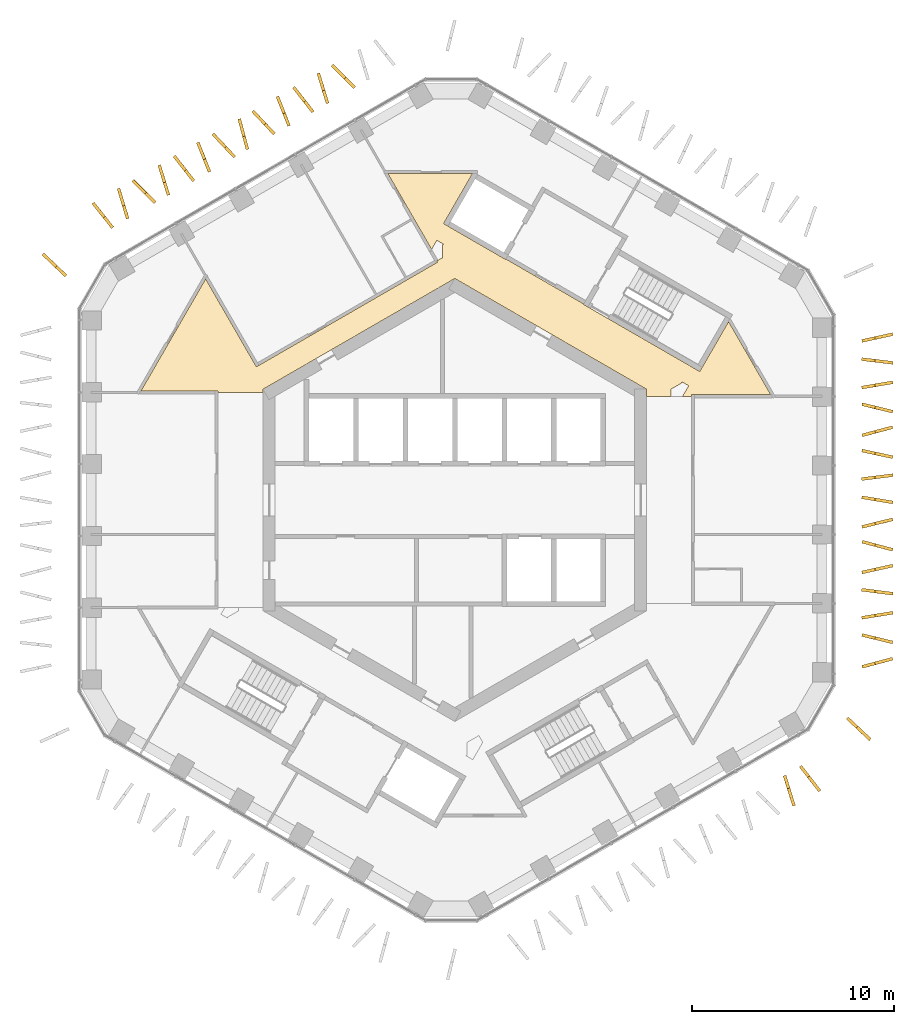
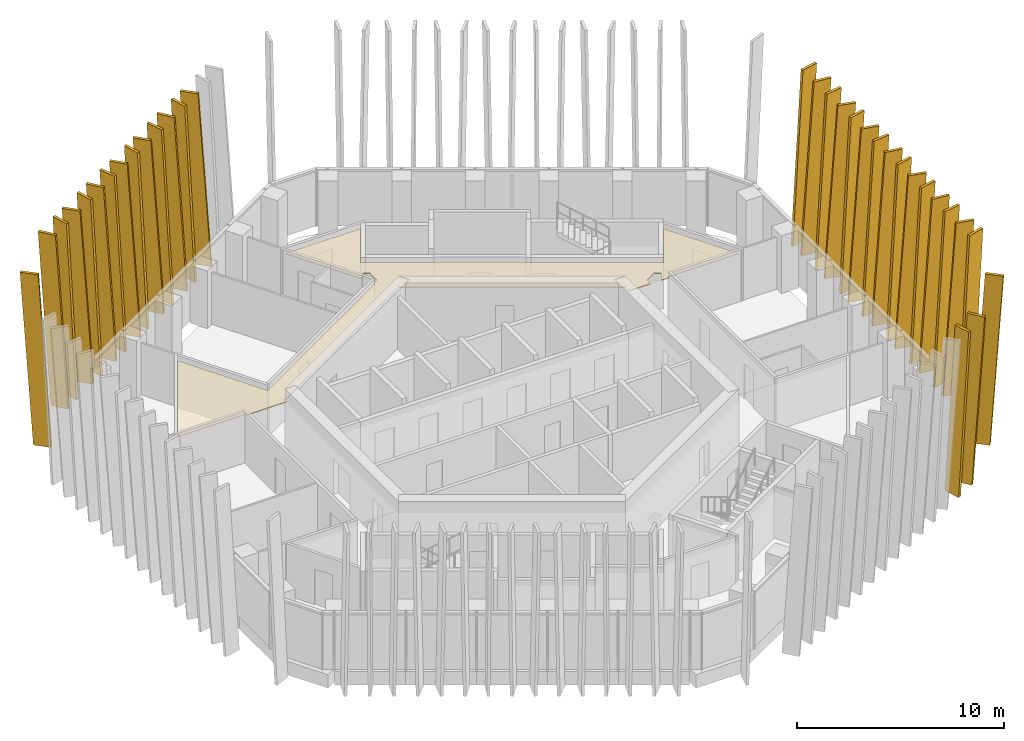
# One storey, part 19 of 20: 32 shading devices, 1 covering.
"""IFC4 building model written with IfcOpenShell, lengths in metres."""

from ifc_helpers import new_model, si_unit, direction, frame, origin, place, context, subcontext, project, spatial, polyline, outline, extrude, material, layer, layer_set, type_object, element, save


model = new_model("IFC4")

# Units and contexts
model_context = context("Model", 3, precision=1e-05, world=origin(), true_north=direction((0.0, 1.0)))
body_context = subcontext(model_context, "Body", "Model", "MODEL_VIEW")
ifc_project = project(units=[si_unit("LENGTHUNIT", "METRE"), si_unit("AREAUNIT", "SQUARE_METRE"), si_unit("VOLUMEUNIT", "CUBIC_METRE"), si_unit("PLANEANGLEUNIT", "RADIAN"), si_unit("MASSUNIT", "GRAM", prefix="KILO")], contexts=[model_context])

# Site, building, storey
site_placement = place(None, origin())
site = spatial("IfcSite", under=ifc_project, at=site_placement, CompositionType="ELEMENT")
building_placement = place(site_placement, origin())
building = spatial("IfcBuilding", under=site, at=building_placement, Name="Ayvan Gate Tower", CompositionType="ELEMENT")
storey_placement = place(building_placement, frame((0.0, 0.0, 162.89990234375)))
storey = spatial("IfcBuildingStorey", under=building, at=storey_placement, Name="L43", CompositionType="ELEMENT", Elevation=162.89990234375)

# Shading devices
ifc_material_1 = material(Name="Bronze anodised aluminium", Category="aluminium")
ifc_layer_1 = layer(ifc_material_1, 0.14990234375)
ifc_layer_set_1 = layer_set([ifc_layer_1], Name="Bronze anodised aluminium")
shading_device_type = type_object("IfcShadingDeviceType", Name="Bronze fin 900 x 150", PredefinedType="USERDEFINED", material=ifc_layer_set_1)
shading_device_1_placement = place(storey_placement, frame((-4.90869140625, 20.478759765625, 0.0), z_axis=(0.70710677455, 0.70710677455, 0.000137009644), x_axis=(-0.707106781187, 0.707106781187, 0.0)))
element("IfcShadingDevice", 1, at=shading_device_1_placement, inside=storey, type_object=shading_device_type, Name="Bronze fin FG16.1.3", ObjectType="FIN", PredefinedType="USERDEFINED", context=body_context, shape_type="SweptSolid", body=[
    extrude(outline(polyline([(0.0, 0.0), (0.900111024684243, 0.0), (1.564059432995635, 10.080078219609815), (0.6642936752943933, 10.080078219609815), (0.0, 0.0)])), origin(), (0.0, 0.0, -1.0), 0.14990234375),
])
shading_device_2_placement = place(storey_placement, frame((-6.229736328125, 19.666259765625, 0.0), z_axis=(0.956030876402, 0.293265998125, 0.000133076551), x_axis=(-0.293266000721, 0.956030884868, 0.0)))
element("IfcShadingDevice", 2, at=shading_device_2_placement, inside=storey, type_object=shading_device_type, Name="Bronze fin FG16.1.4", ObjectType="FIN", PredefinedType="USERDEFINED", context=body_context, shape_type="SweptSolid", body=[
    extrude(outline(polyline([(0.0, 0.0), (0.8999202600228349, 0.0), (1.5640357063974393, 10.080078214255911), (0.6641154463746045, 10.080078214255911), (0.0, 0.0)])), origin(), (0.0, 0.0, -1.0), 0.14990234375),
])
shading_device_3_placement = place(storey_placement, frame((-6.96240234375, 19.260009765625, 0.0), z_axis=(0.787676700214, 0.616088784634, 0.000159336057), x_axis=(-0.616088792457, 0.787676710211, 1.3317e-08)))
element("IfcShadingDevice", 3, at=shading_device_3_placement, inside=storey, type_object=shading_device_type, Name="Bronze fin FG16.1.5", ObjectType="FIN", PredefinedType="USERDEFINED", context=body_context, shape_type="SweptSolid", body=[
    extrude(outline(polyline([(0.0, 0.0), (0.8998445159698425, 0.0), (1.5640257398677295, 10.080078232128587), (0.6639889200135578, 10.080078256097252), (0.0, 0.0)])), origin(), (0.0, 0.0, -1.0), 0.14990234375),
])
shading_device_4_placement = place(storey_placement, frame((-8.1396484375, 18.556396484375, 0.0), z_axis=(0.929808538218, 0.368043560576, 0.000140627207), x_axis=(-0.368043564217, 0.929808547411, 1.7737e-08)))
element("IfcShadingDevice", 4, at=shading_device_4_placement, inside=storey, type_object=shading_device_type, Name="Bronze fin FG16.1.6", ObjectType="FIN", PredefinedType="USERDEFINED", context=body_context, shape_type="SweptSolid", body=[
    extrude(outline(polyline([(0.0, 0.0), (0.8998752462450608, 6.776263578034403e-21), (1.5639081459649489, 10.080078196932167), (0.6641227541056832, 10.080078228853518), (0.0, 0.0)])), origin(), (0.0, 0.0, -1.0), 0.14990234375),
])
shading_device_5_placement = place(storey_placement, frame((-8.88037109375, 18.17578125, 0.0), z_axis=(0.729194546327, 0.684306431238, 0.00014755965), x_axis=(-0.684306438689, 0.729194554264, 1.3695e-08)))
element("IfcShadingDevice", 5, at=shading_device_5_placement, inside=storey, type_object=shading_device_type, Name="Bronze fin FG16.1.7", ObjectType="FIN", PredefinedType="USERDEFINED", context=body_context, shape_type="SweptSolid", body=[
    extrude(outline(polyline([(0.0, 0.0), (0.9000439713561788, -1.3552527156068805e-20), (1.5642826426158303, 10.080078213318082), (0.664060645245427, 10.080078237972868), (0.0, 0.0)])), origin(), (0.0, 0.0, -1.0), 0.14990234375),
])
shading_device_6_placement = place(storey_placement, frame((-10.1962890625, 17.38134765625, 0.0), z_axis=(0.965918973003, 0.25884457872, 0.000147176107), x_axis=(-0.258844581524, 0.965918983464, 0.0)))
element("IfcShadingDevice", 6, at=shading_device_6_placement, inside=storey, type_object=shading_device_type, Name="Bronze fin FG16.1.8", ObjectType="FIN", PredefinedType="USERDEFINED", context=body_context, shape_type="SweptSolid", body=[
    extrude(outline(polyline([(0.0, 0.0), (0.8998069609142786, 6.776263578034403e-21), (1.5639385291412986, 10.080078234171312), (0.6641315682270201, 10.080078234171312), (0.0, 0.0)])), origin(), (0.0, 0.0, -1.0), 0.14990234375),
])
shading_device_7_placement = place(storey_placement, frame((-10.850341796875, 17.03857421875, 0.0), z_axis=(0.729131032152, 0.684374104955, 0.000149732423), x_axis=(-0.684374112627, 0.729131040325, 0.0)))
element("IfcShadingDevice", 7, at=shading_device_7_placement, inside=storey, type_object=shading_device_type, Name="Bronze fin FG16.1.9", ObjectType="FIN", PredefinedType="USERDEFINED", context=body_context, shape_type="SweptSolid", body=[
    extrude(outline(polyline([(0.0, 0.0), (0.9000439752325704, -1.3552527156068805e-20), (1.5641046253707434, 10.080078237996664), (0.664060650138173, 10.080078237996664), (0.0, 0.0)])), origin(), (0.0, 0.0, -1.0), 0.14990234375),
])
shading_device_8_placement = place(storey_placement, frame((-12.079345703125, 16.28173828125, 0.0), z_axis=(0.929845275173, 0.367950733889, 0.000147204149), x_axis=(-0.367950737873, 0.929845285248, -1.8565e-08)))
element("IfcShadingDevice", 8, at=shading_device_8_placement, inside=storey, type_object=shading_device_type, Name="Bronze fin FG16.1.10", ObjectType="FIN", PredefinedType="USERDEFINED", context=body_context, shape_type="SweptSolid", body=[
    extrude(outline(polyline([(0.0, 0.0), (0.9000124117156665, 6.776263578034403e-21), (1.5641346437356456, 10.080078263250902), (0.6640324002968654, 10.080078229831978), (0.0, 0.0)])), origin(), (0.0, 0.0, -1.0), 0.14990234375),
])
shading_device_9_placement = place(storey_placement, frame((-12.87109375, 15.848388671875, 0.0), z_axis=(0.787610876416, 0.616172931214, 0.000161835771), x_axis=(-0.616172939283, 0.78761088673, 3.762e-09)))
element("IfcShadingDevice", 9, at=shading_device_9_placement, inside=storey, type_object=shading_device_type, Name="Bronze fin FG16.1.11", ObjectType="FIN", PredefinedType="USERDEFINED", context=body_context, shape_type="SweptSolid", body=[
    extrude(outline(polyline([(0.0, 0.0), (0.9001872395298831, 1.3552527156068805e-20), (1.5641762390667049, 10.08007825111777), (0.6643317201974694, 10.080078257890111), (0.0, 0.0)])), origin(), (0.0, 0.0, -1.0), 0.14990234375),
])
shading_device_10_placement = place(storey_placement, frame((-14.10791015625, 15.11767578125, 0.0), z_axis=(0.956030876402, 0.293265998125, 0.000133076551), x_axis=(-0.293266000721, 0.956030884868, 0.0)))
element("IfcShadingDevice", 10, at=shading_device_10_placement, inside=storey, type_object=shading_device_type, Name="Bronze fin FG16.1.12", ObjectType="FIN", PredefinedType="USERDEFINED", context=body_context, shape_type="SweptSolid", body=[
    extrude(outline(polyline([(0.0, 0.0), (0.8999202600228349, 0.0), (1.5640357063974393, 10.080078214255911), (0.6641154463746045, 10.080078214255911), (0.0, 0.0)])), origin(), (0.0, 0.0, -1.0), 0.14990234375),
])
shading_device_11_placement = place(storey_placement, frame((-14.7880859375, 14.77490234375, 0.0), z_axis=(0.707174597764, 0.707038941789, 0.000151893425), x_axis=(-0.707038949944, 0.707174605923, -1.4567e-08)))
element("IfcShadingDevice", 11, at=shading_device_11_placement, inside=storey, type_object=shading_device_type, Name="Bronze fin FG16.1.13", ObjectType="FIN", PredefinedType="USERDEFINED", context=body_context, shape_type="SweptSolid", body=[
    extrude(outline(polyline([(0.0, 0.0), (0.8999384036120208, 1.3552527156068805e-20), (1.5640591464837272, 10.080078264065977), (0.6642933929219804, 10.080078237849115), (0.0, 0.0)])), origin(), (0.0, 0.0, -1.0), 0.14990234375),
])
shading_device_12_placement = place(storey_placement, frame((-16.128662109375, 13.95166015625, 0.0), z_axis=(0.957478388745, 0.288504962864, 0.000146592241), x_axis=(-0.288504965966, 0.957478399032, 1.3299e-08)))
element("IfcShadingDevice", 12, at=shading_device_12_placement, inside=storey, type_object=shading_device_type, Name="Bronze fin FG16.1.14", ObjectType="FIN", PredefinedType="USERDEFINED", context=body_context, shape_type="SweptSolid", body=[
    extrude(outline(polyline([(0.0, 0.0), (0.9001142657155573, 0.0), (1.5640005612478827, 10.08007821250656), (0.6641904906897956, 10.080078236444486), (0.0, 0.0)])), origin(), (0.0, 0.0, -1.0), 0.14990234375),
])
shading_device_13_placement = place(storey_placement, frame((-16.886474609375, 13.53125, 0.0), z_axis=(0.784507654603, 0.62011912117, 0.000124215189), x_axis=(-0.620119125954, 0.784507660655, 0.0)))
element("IfcShadingDevice", 13, at=shading_device_13_placement, inside=storey, type_object=shading_device_type, Name="Bronze fin FG16.1.15", ObjectType="FIN", PredefinedType="USERDEFINED", context=body_context, shape_type="SweptSolid", body=[
    extrude(outline(polyline([(0.0, 0.0), (0.8999971866563694, 6.776263578034403e-21), (1.5641591170380988, 10.080078202764845), (0.6641619303817293, 10.080078202764845), (0.0, 0.0)])), origin(), (0.0, 0.0, -1.0), 0.14990234375),
])
shading_device_14_placement = place(storey_placement, frame((-19.21044921875, 11.15771484375, 0.0), z_axis=(0.690156285835, 0.723660335089, 0.000143321696), x_axis=(-0.723660342523, 0.690156292922, 1.3416e-08)))
element("IfcShadingDevice", 14, at=shading_device_14_placement, inside=storey, type_object=shading_device_type, Name="Bronze fin FG16.2.16", ObjectType="FIN", PredefinedType="USERDEFINED", context=body_context, shape_type="SweptSolid", body=[
    extrude(outline(polyline([(0.0, 0.0), (0.900020362071362, 0.0), (1.5640148654917776, 10.080078207545455), (0.6641711783087267, 10.0800782316921), (0.0, 0.0)])), origin(), (0.0, 0.0, -1.0), 0.14990234375),
])
shading_device_15_placement = place(storey_placement, frame((16.260986328125, -13.668701171875, 0.0), z_axis=(-0.955373402441, -0.295400805014, 0.000162191566), x_axis=(0.295400808899, -0.955373415007, 0.0)))
element("IfcShadingDevice", 15, at=shading_device_15_placement, inside=storey, type_object=shading_device_type, Name="Bronze fin FG16.7.62", ObjectType="FIN", PredefinedType="USERDEFINED", context=body_context, shape_type="SweptSolid", body=[
    extrude(outline(polyline([(0.0, 0.0), (0.9000284786486996, 0.0), (1.5641836090151382, 10.080078257583795), (0.6641551303664387, 10.080078257583795), (0.0, 0.0)])), origin(), (0.0, 0.0, -1.0), 0.14990234375),
])
shading_device_16_placement = place(storey_placement, frame((17.0576171875, -13.224609375, 0.0), z_axis=(-0.79122533438, -0.611524688502, 0.000159960267), x_axis=(0.611524696323, -0.791225344505, -1.7167e-08)))
element("IfcShadingDevice", 16, at=shading_device_16_placement, inside=storey, type_object=shading_device_type, Name="Bronze fin FG16.7.63", ObjectType="FIN", PredefinedType="USERDEFINED", context=body_context, shape_type="SweptSolid", body=[
    extrude(outline(polyline([(0.0, 0.0), (0.8999953602131687, 0.0), (1.5641032824272418, 10.08007828081113), (0.66395862419251, 10.080078249909002), (0.0, 0.0)])), origin(), (0.0, 0.0, -1.0), 0.14990234375),
])
shading_device_17_placement = place(storey_placement, frame((19.385498046875, -10.85302734375, 0.0), z_axis=(-0.68598209109, -0.727618410181, 0.000140961004), x_axis=(0.727618417411, -0.685982097903, 1.3113e-08)))
element("IfcShadingDevice", 17, at=shading_device_17_placement, inside=storey, type_object=shading_device_type, Name="Bronze fin FG16.8.64", ObjectType="FIN", PredefinedType="USERDEFINED", context=body_context, shape_type="SweptSolid", body=[
    extrude(outline(polyline([(0.0, 0.0), (0.9001584324980659, 2.710505431213761e-20), (1.5642615890979632, 10.0800782046334), (0.6642807978150856, 10.08007822823867), (0.0, 0.0)])), origin(), (0.0, 0.0, -1.0), 0.14990234375),
])
shading_device_18_placement = place(storey_placement, frame((20.189208984375, -8.334716796875, 0.0), z_axis=(0.257569784878, -0.966259687978, 0.000145966011), x_axis=(0.966259698273, 0.257569787619, -1.9131e-08)))
element("IfcShadingDevice", 18, at=shading_device_18_placement, inside=storey, type_object=shading_device_type, Name="Bronze fin FG16.9.65", ObjectType="FIN", PredefinedType="USERDEFINED", context=body_context, shape_type="SweptSolid", body=[
    extrude(outline(polyline([(0.0, 0.0), (0.8999635677972457, 0.0), (1.5641396608980065, 10.08007826230654), (0.6641132098518301, 10.08007822787148), (0.0, 0.0)])), origin(), (0.0, 0.0, -1.0), 0.14990234375),
])
shading_device_19_placement = place(storey_placement, frame((20.147705078125, -6.75634765625, 0.0), z_axis=(-0.236946810461, -0.971522612096, 0.000152311869), x_axis=(0.971522623366, -0.236946813206, 2.4962e-08)))
element("IfcShadingDevice", 19, at=shading_device_19_placement, inside=storey, type_object=shading_device_type, Name="Bronze fin FG16.9.66", ObjectType="FIN", PredefinedType="USERDEFINED", context=body_context, shape_type="SweptSolid", body=[
    extrude(outline(polyline([(0.0, 0.0), (0.9001095226623655, 6.776263578034403e-21), (1.5642003089074925, 10.080078202877402), (0.6642701260425293, 10.080078247810484), (0.0, 0.0)])), origin(), (0.0, 0.0, -1.0), 0.14990234375),
])
shading_device_20_placement = place(storey_placement, frame((20.16455078125, -5.907958984375, 0.0), z_axis=(0.158699343908, -0.987326943853, 0.000155512805), x_axis=(0.987326955792, 0.158699345827, -3.347e-09)))
element("IfcShadingDevice", 20, at=shading_device_20_placement, inside=storey, type_object=shading_device_type, Name="Bronze fin FG16.9.67", ObjectType="FIN", PredefinedType="USERDEFINED", context=body_context, shape_type="SweptSolid", body=[
    extrude(outline(polyline([(0.0, 0.0), (0.9000754971661992, 0.0), (1.5640148830603642, 10.080078252124439), (0.6641804325142314, 10.080078246099909), (0.0, 0.0)])), origin(), (0.0, 0.0, -1.0), 0.14990234375),
])
shading_device_21_placement = place(storey_placement, frame((20.139404296875, -4.517578125, 0.0), z_axis=(-0.128440400274, -0.99171721943, 0.000142349716), x_axis=(0.991717229478, -0.128440401578, -1.9146e-08)))
element("IfcShadingDevice", 21, at=shading_device_21_placement, inside=storey, type_object=shading_device_type, Name="Bronze fin FG16.9.68", ObjectType="FIN", PredefinedType="USERDEFINED", context=body_context, shape_type="SweptSolid", body=[
    extrude(outline(polyline([(0.0, 0.0), (0.9000485696576234, 3.3881317890172014e-21), (1.5640396224780098, 10.08007825707437), (0.6640224103403027, 10.080078222609474), (0.0, 0.0)])), origin(), (0.0, 0.0, -1.0), 0.14990234375),
])
shading_device_22_placement = place(storey_placement, frame((20.177978515625, -3.662353515625, 0.0), z_axis=(0.216600145238, -0.976260391622, 0.000157582778), x_axis=(0.976260403743, 0.21660014793, 2.0865e-08)))
element("IfcShadingDevice", 22, at=shading_device_22_placement, inside=storey, type_object=shading_device_type, Name="Bronze fin FG16.9.69", ObjectType="FIN", PredefinedType="USERDEFINED", context=body_context, shape_type="SweptSolid", body=[
    extrude(outline(polyline([(0.0, 0.0), (0.9000548611493163, 0.0), (1.5640863701876477, 10.08007821752148), (0.6640843899338222, 10.080078255079417), (0.0, 0.0)])), origin(), (0.0, 0.0, -1.0), 0.14990234375),
])
shading_device_23_placement = place(storey_placement, frame((20.150634765625, -2.1357421875, 0.0), z_axis=(-0.257856819932, -0.966183129077, 0.000146631993), x_axis=(0.966183139464, -0.257856822706, -1.4086e-08)))
element("IfcShadingDevice", 23, at=shading_device_23_placement, inside=storey, type_object=shading_device_type, Name="Bronze fin FG16.9.70", ObjectType="FIN", PredefinedType="USERDEFINED", context=body_context, shape_type="SweptSolid", body=[
    extrude(outline(polyline([(0.0, 0.0), (0.9000893996980394, -1.3552527156068805e-20), (1.5639823156769392, 10.080078255395785), (0.664191753860289, 10.080078230042744), (0.0, 0.0)])), origin(), (0.0, 0.0, -1.0), 0.14990234375),
])
shading_device_24_placement = place(storey_placement, frame((20.18359375, -1.405029296875, 0.0), z_axis=(0.237649343609, -0.971350998622, 0.000164190813), x_axis=(0.971351011715, 0.237649346812, -5.292e-09)))
element("IfcShadingDevice", 24, at=shading_device_24_placement, inside=storey, type_object=shading_device_type, Name="Bronze fin FG16.9.71", ObjectType="FIN", PredefinedType="USERDEFINED", context=body_context, shape_type="SweptSolid", body=[
    extrude(outline(polyline([(0.0, 0.0), (0.9000460939352701, -6.776263578034403e-21), (1.5639990909797856, 10.080078269149409), (0.66419014328761, 10.080078259624335), (0.0, 0.0)])), origin(), (0.0, 0.0, -1.0), 0.14990234375),
])
shading_device_25_placement = place(storey_placement, frame((20.140869140625, 0.059814453125, 0.0), z_axis=(-0.163431185505, -0.986554724784, 0.000150370235), x_axis=(0.986554735938, -0.16343118735, 2.0121e-08)))
element("IfcShadingDevice", 25, at=shading_device_25_placement, inside=storey, type_object=shading_device_type, Name="Bronze fin FG16.9.72", ObjectType="FIN", PredefinedType="USERDEFINED", context=body_context, shape_type="SweptSolid", body=[
    extrude(outline(polyline([(0.0, 0.0), (0.9000207884254398, 0.0), (1.5642411468186022, 10.080078207487928), (0.6641804582009383, 10.08007824370662), (0.0, 0.0)])), origin(), (0.0, 0.0, -1.0), 0.14990234375),
])
shading_device_26_placement = place(storey_placement, frame((20.157470703125, 0.962890625, 0.0), z_axis=(0.121931150167, -0.992538550521, 0.000142646447), x_axis=(0.992538560619, 0.12193115141, 1.9202e-08)))
element("IfcShadingDevice", 26, at=shading_device_26_placement, inside=storey, type_object=shading_device_type, Name="Bronze fin FG16.9.73", ObjectType="FIN", PredefinedType="USERDEFINED", context=body_context, shape_type="SweptSolid", body=[
    extrude(outline(polyline([(0.0, 0.0), (0.9000409207616651, 0.0), (1.5640919866713228, 10.080078197520399), (0.66408083425717, 10.08007823208577), (0.0, 0.0)])), origin(), (0.0, 0.0, -1.0), 0.14990234375),
])
shading_device_27_placement = place(storey_placement, frame((20.14501953125, 2.375, 0.0), z_axis=(-0.21213118884, -0.97724118644, 0.000149151794), x_axis=(0.97724119731, -0.2121311912, -4.292e-09)))
element("IfcShadingDevice", 27, at=shading_device_27_placement, inside=storey, type_object=shading_device_type, Name="Bronze fin FG16.9.74", ObjectType="FIN", PredefinedType="USERDEFINED", context=body_context, shape_type="SweptSolid", body=[
    extrude(outline(polyline([(0.0, 0.0), (0.899880220759122, 3.3881317890172014e-21), (1.5640863530375668, 10.080078243835047), (0.6639675480017577, 10.080078236109475), (0.0, 0.0)])), origin(), (0.0, 0.0, -1.0), 0.14990234375),
])
shading_device_28_placement = place(storey_placement, frame((20.18896484375, 3.12841796875, 0.0), z_axis=(0.256869084187, -0.966446195308, 0.000158629227), x_axis=(0.966446207468, 0.256869087418, 0.0)))
element("IfcShadingDevice", 28, at=shading_device_28_placement, inside=storey, type_object=shading_device_type, Name="Bronze fin FG16.9.75", ObjectType="FIN", PredefinedType="USERDEFINED", context=body_context, shape_type="SweptSolid", body=[
    extrude(outline(polyline([(0.0, 0.0), (0.9000739411603745, 0.0), (1.5641234757423588, 10.080078251823675), (0.6640495345819843, 10.080078251823675), (0.0, 0.0)])), origin(), (0.0, 0.0, -1.0), 0.14990234375),
])
shading_device_29_placement = place(storey_placement, frame((20.148193359375, 4.673095703125, 0.0), z_axis=(-0.240875816208, -0.970555935127, 0.000133998949), x_axis=(0.970555943841, -0.240875818371, 0.0)))
element("IfcShadingDevice", 29, at=shading_device_29_placement, inside=storey, type_object=shading_device_type, Name="Bronze fin FG16.9.76", ObjectType="FIN", PredefinedType="USERDEFINED", context=body_context, shape_type="SweptSolid", body=[
    extrude(outline(polyline([(0.0, 0.0), (0.9000358627379677, 0.0), (1.5642883250347748, 10.080078215497524), (0.6642524622968071, 10.080078215497524), (0.0, 0.0)])), origin(), (0.0, 0.0, -1.0), 0.14990234375),
])
shading_device_30_placement = place(storey_placement, frame((20.16650390625, 5.492431640625, 0.0), z_axis=(0.167785322711, -0.985823545244, 0.00015207142), x_axis=(0.985823556643, 0.167785324648, -2.0335e-08)))
element("IfcShadingDevice", 30, at=shading_device_30_placement, inside=storey, type_object=shading_device_type, Name="Bronze fin FG16.9.77", ObjectType="FIN", PredefinedType="USERDEFINED", context=body_context, shape_type="SweptSolid", body=[
    extrude(outline(polyline([(0.0, 0.0), (0.8999448572934733, 0.0), (1.5639318928234358, 10.08007827335684), (0.663946072315937, 10.080078236755522), (0.0, 0.0)])), origin(), (0.0, 0.0, -1.0), 0.14990234375),
])
shading_device_31_placement = place(storey_placement, frame((20.13916015625, 6.901611328125, 0.0), z_axis=(-0.120161253812, -0.992754376868, 0.000142447965), x_axis=(0.99275438694, -0.120161255031, 0.0)))
element("IfcShadingDevice", 31, at=shading_device_31_placement, inside=storey, type_object=shading_device_type, Name="Bronze fin FG16.9.78", ObjectType="FIN", PredefinedType="USERDEFINED", context=body_context, shape_type="SweptSolid", body=[
    extrude(outline(polyline([(0.0, 0.0), (0.900076292036263, -3.3881317890172014e-21), (1.564139124553578, 10.080078227269565), (0.6640628325173151, 10.080078227269565), (0.0, 0.0)])), origin(), (0.0, 0.0, -1.0), 0.14990234375),
])
shading_device_32_placement = place(storey_placement, frame((20.177001953125, 7.80322265625, 0.0), z_axis=(0.213223570705, -0.977003422256, 0.000147635872), x_axis=(0.977003432904, 0.213223573028, -4.269e-09)))
element("IfcShadingDevice", 32, at=shading_device_32_placement, inside=storey, type_object=shading_device_type, Name="Bronze fin FG16.9.79", ObjectType="FIN", PredefinedType="USERDEFINED", context=body_context, shape_type="SweptSolid", body=[
    extrude(outline(polyline([(0.0, 0.0), (0.9000879135054496, 0.0), (1.564118664315259, 10.080078241532085), (0.6642692770385455, 10.080078233847692), (0.0, 0.0)])), origin(), (0.0, 0.0, -1.0), 0.14990234375),
])

# Covering
ifc_material_2 = material(Name="Plasterboard suspended ceiling")
ifc_layer_2 = layer(ifc_material_2, 0.050048828125)
ifc_layer_set_2 = layer_set([ifc_layer_2], Name="Plasterboard suspended ceiling")
covering_type = type_object("IfcCoveringType", Name="CT-SUSP-50", PredefinedType="CEILING", material=ifc_layer_set_2)
covering_placement = place(storey_placement, frame((0.0, 0.0, 2.7001953125)))
element("IfcCovering", 33, at=covering_placement, inside=storey, type_object=covering_type, Name="Ceiling Gallery L43", PredefinedType="CEILING", context=body_context, shape_type="SweptSolid", body=[
    extrude(outline(polyline([(2.518310546875, 11.91162109375), (2.53076171875, 11.933349609375), (6.384521484375, 9.70849609375), (6.3720703125, 9.686767578125), (6.588623046875, 9.561767578125), (12.131103515625, 6.36181640625), (12.24609375, 6.56103515625), (13.55810546875, 8.8330078125), (15.6484375, 5.21240234375), (11.72509765625, 5.21240234375), (11.72509765625, 5.137451171875), (11.27978515625, 5.137451171875), (11.580322265625, 5.65771484375), (11.2294921875, 5.8603515625), (11.259765625, 5.80810546875), (10.699951171875, 5.48486328125), (10.699951171875, 5.137451171875), (9.5, 5.137451171875), (9.5, 5.48486328125), (0.0, 10.9697265625), (-9.19921875, 5.658447265625), (-9.5, 5.48486328125), (-9.5, 5.322509765625), (-11.72509765625, 5.322509765625), (-11.72509765625, 5.3974609375), (-15.54150390625, 5.3974609375), (-12.33837890625, 10.94580078125), (-9.82666015625, 6.59521484375), (-9.696533203125, 6.67041015625), (-0.86328125, 11.770263671875), (-0.90087890625, 11.835205078125), (-0.60009765625, 12.0087890625), (-0.60009765625, 12.6552734375), (-0.53955078125, 12.6552734375), (-0.890380859375, 12.85791015625), (-1.1474609375, 12.412353515625), (-3.31005859375, 16.158203125), (0.87060546875, 16.158203125), (-0.55615234375, 13.686767578125), (-0.339599609375, 13.561767578125), (2.518310546875, 11.91162109375)])), origin(), (0.0, 0.0, 1.0), 0.0498046875),
])

save(model, "model.ifc")
